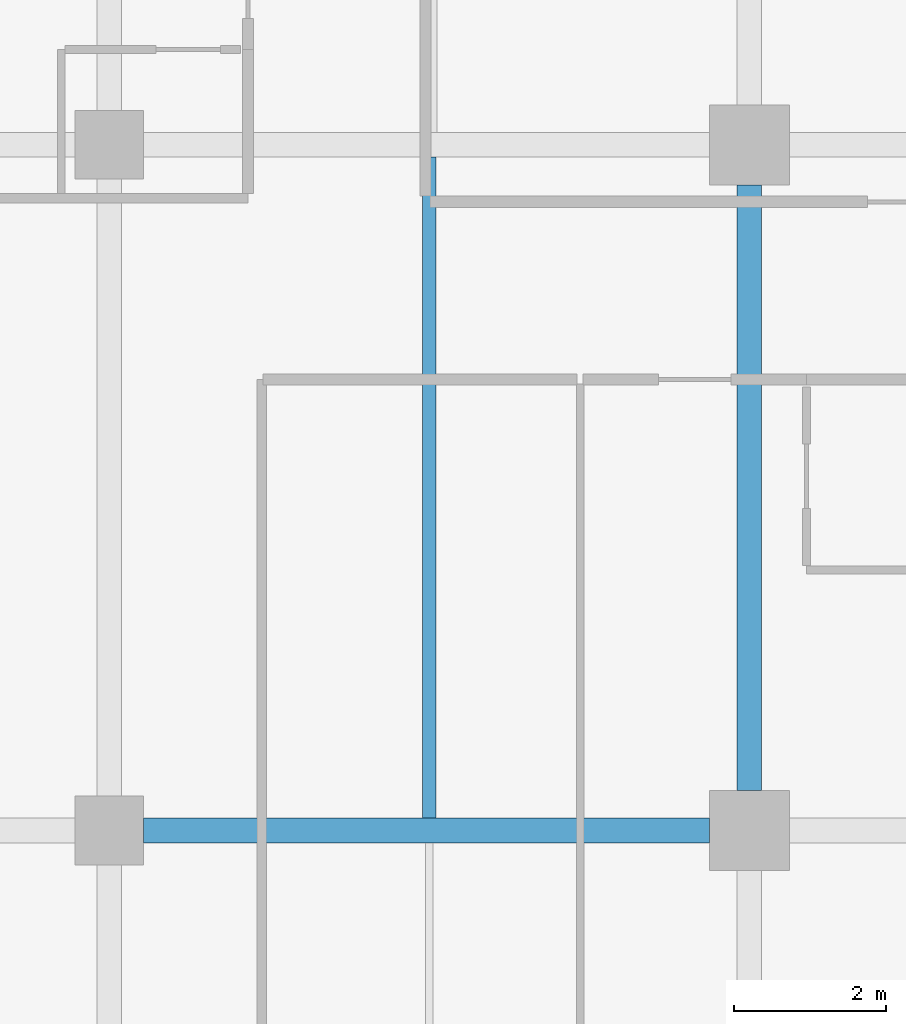
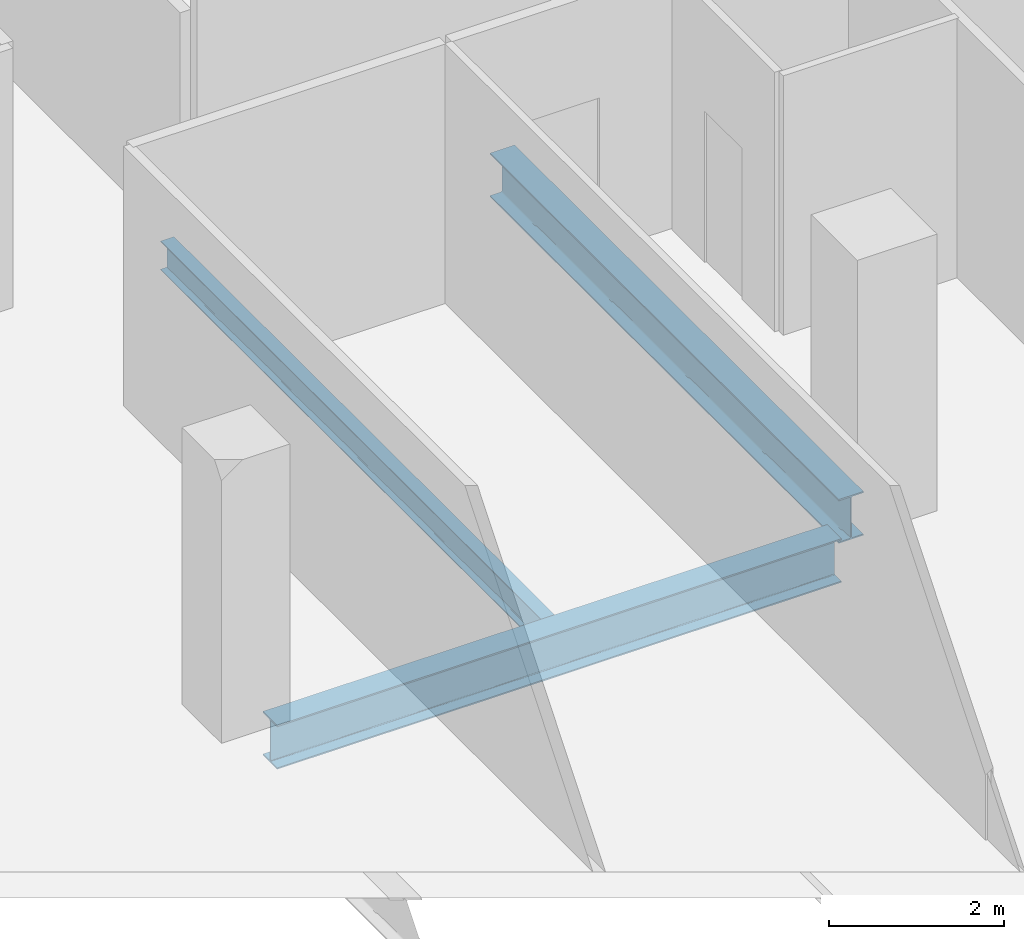
# One storey, part 6 of 40: 3 beams.
"""IFC4 building model written with IfcOpenShell, lengths in metres."""

from ifc_helpers import new_model, si_unit, direction, frame, origin, origin_2d, place, context, subcontext, project, spatial, i_section, extrude, material, material_profile, profile_set, type_object, element, save


model = new_model("IFC4")

# Units and contexts
model_context = context("Model", 3, precision=1e-05, world=origin(), true_north=direction((0.0, 1.0)))
body_context = subcontext(model_context, "Body", "Model", "MODEL_VIEW")
ifc_project = project(units=[si_unit("LENGTHUNIT", "METRE"), si_unit("AREAUNIT", "SQUARE_METRE"), si_unit("VOLUMEUNIT", "CUBIC_METRE"), si_unit("PLANEANGLEUNIT", "RADIAN"), si_unit("MASSUNIT", "GRAM", prefix="KILO")], contexts=[model_context])

# Site, building, storey
site_placement = place(None, origin())
site = spatial("IfcSite", under=ifc_project, at=site_placement, CompositionType="ELEMENT")
building_placement = place(site_placement, origin())
building = spatial("IfcBuilding", under=site, at=building_placement, Name="Maruvema Waterfront Hotel and Observation Tower", CompositionType="ELEMENT")
storey_placement = place(building_placement, frame((0.0, 0.0, 100.10009765625)))
storey = spatial("IfcBuildingStorey", under=building, at=storey_placement, Name="L24", CompositionType="ELEMENT", Elevation=100.10009765625)

# Beams
ifc_material_1 = material(Name="Steel ASTM A572 Grade 50", Category="steel")
ifc_material_profile_1 = material_profile(ifc_material_1, i_section(OverallWidth=0.323974609375, OverallDepth=0.611083984375, WebThickness=0.0126953125, FlangeThickness=0.01904296875, FilletRadius=0.01806640625, at=origin_2d()), Name="W610x155.0")
ifc_profile_set_1 = profile_set([ifc_material_profile_1], Name="Steel ASTM A572 Grade 50")
beam_type_1 = type_object("IfcBeamType", Name="Primary Floor Girder W610x155.0", PredefinedType="BEAM", material=ifc_profile_set_1)
beam_1_placement = place(storey_placement, frame((17.25, 9.0, -0.545654296875), z_axis=(1.0, 0.0, 0.0), x_axis=(0.0, 1.0, 0.0)))
element("IfcBeam", 1, at=beam_1_placement, inside=storey, type_object=beam_type_1, Name="L24 Floor Girder EW-07", PredefinedType="BEAM", context=body_context, shape_type="SweptSolid", body=[
    extrude(i_section(OverallWidth=0.323974609375, OverallDepth=0.611083984375, WebThickness=0.0126953125, FlangeThickness=0.01904296875, FilletRadius=0.01806640625, at=origin_2d()), origin(), (0.0, 0.0, 1.0), 7.425048828125),
])
beam_2_placement = place(storey_placement, frame((25.199951171875, 9.52490234375, -0.545654296875), z_axis=(0.0, 1.0, 0.0), x_axis=(-1.0, 0.0, 0.0)))
element("IfcBeam", 2, at=beam_2_placement, inside=storey, type_object=beam_type_1, Name="L24 Floor Girder NS-12", PredefinedType="BEAM", context=body_context, shape_type="SweptSolid", body=[
    extrude(i_section(OverallWidth=0.323974609375, OverallDepth=0.611083984375, WebThickness=0.0126953125, FlangeThickness=0.01904296875, FilletRadius=0.01806640625, at=origin_2d()), origin(), (0.0, 0.0, 1.0), 7.9501953125),
])
ifc_material_2 = material(Name="Steel ASTM A572 Grade 50", Category="steel")
ifc_material_profile_2 = material_profile(ifc_material_2, i_section(OverallWidth=0.177001953125, OverallDepth=0.403076171875, WebThickness=0.007568359375, FlangeThickness=0.010986328125, FilletRadius=0.014892578125, at=origin_2d()), Name="W410x53.0")
ifc_profile_set_2 = profile_set([ifc_material_profile_2], Name="Steel ASTM A572 Grade 50")
beam_type_2 = type_object("IfcBeamType", Name="Secondary Floor Joist W410x53.0", PredefinedType="JOIST", material=ifc_profile_set_2)
beam_3_placement = place(storey_placement, frame((21.0, 9.162109375, -0.441650390625), z_axis=(0.0, 1.0, 0.0), x_axis=(-1.0, 0.0, 0.0)))
element("IfcBeam", 3, at=beam_3_placement, inside=storey, type_object=beam_type_2, Name="L24 Secondary Floor Joist JS-06", PredefinedType="JOIST", context=body_context, shape_type="SweptSolid", body=[
    extrude(i_section(OverallWidth=0.177001953125, OverallDepth=0.403076171875, WebThickness=0.007568359375, FlangeThickness=0.010986328125, FilletRadius=0.014892578125, at=origin_2d()), origin(), (0.0, 0.0, 1.0), 8.67578125),
])

save(model, "model.ifc")
